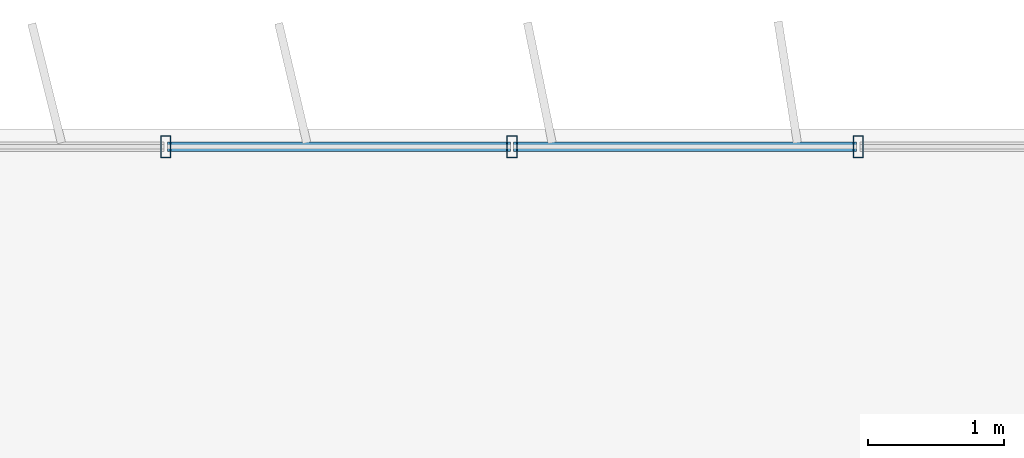
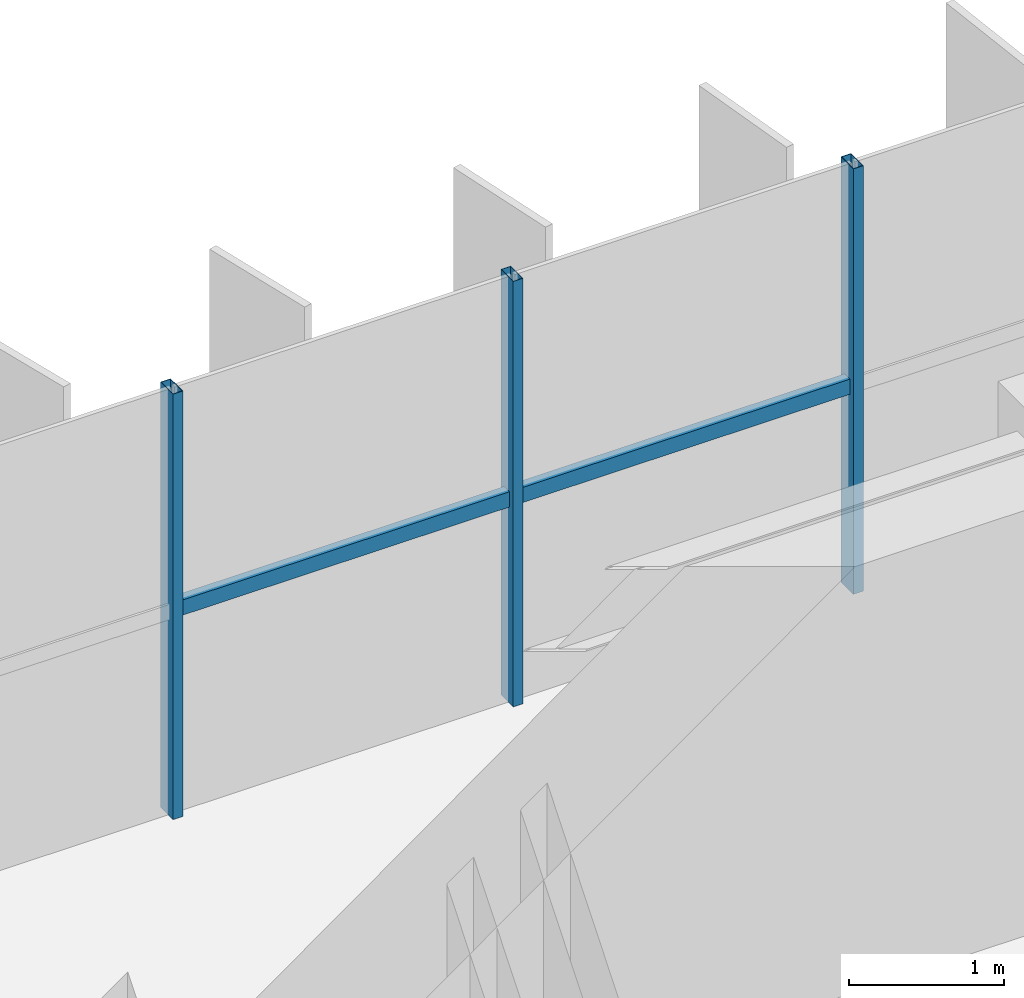
# One storey, part 8 of 23: 5 members, 1 element without a shape of its own.
"""IFC4 building model written with IfcOpenShell, lengths in metres."""

from ifc_helpers import new_model, si_unit, direction, frame, origin, origin_2d, place, context, subcontext, project, spatial, hollow_rectangle, extrude, source, transform, mapped, material, material_profile, profile_set, type_object, element, aggregate, save


model = new_model("IFC4")

# Units and contexts
model_context = context("Model", 3, precision=1e-05, world=origin(), true_north=direction((0.0, 1.0)))
body_context = subcontext(model_context, "Body", "Model", "MODEL_VIEW")
ifc_project = project(units=[si_unit("LENGTHUNIT", "METRE"), si_unit("AREAUNIT", "SQUARE_METRE"), si_unit("VOLUMEUNIT", "CUBIC_METRE"), si_unit("PLANEANGLEUNIT", "RADIAN"), si_unit("MASSUNIT", "GRAM", prefix="KILO")], contexts=[model_context])

# Site, building, storey
site_placement = place(None, origin())
site = spatial("IfcSite", under=ifc_project, at=site_placement, CompositionType="ELEMENT")
building_placement = place(site_placement, origin())
building = spatial("IfcBuilding", under=site, at=building_placement, Name="Trelvane Seafront Commons", CompositionType="ELEMENT")
storey_placement = place(building_placement, frame((0.0, 0.0, 190.5)))
storey = spatial("IfcBuildingStorey", under=building, at=storey_placement, Name="L49", CompositionType="ELEMENT", Elevation=190.5)

# Curtain wall, members
ifc_material = material(Name="Anodised pale-silver aluminium", Category="aluminium")
curtain_wall_type = type_object("IfcCurtainWallType", Name="ARCH-CW5-UPTOWER", PredefinedType="NOTDEFINED", material=ifc_material)
curtain_wall_placement = place(storey_placement, origin())
curtain_wall = element("IfcCurtainWall", 1, at=curtain_wall_placement, inside=storey, type_object=curtain_wall_type, Name="CW-L49-0077", PredefinedType="NOTDEFINED")
ifc_material_profile_1 = material_profile(ifc_material, hollow_rectangle(XDim=0.070068359375, YDim=0.1201171875, WallThickness=0.00390625, at=origin_2d()), Name="TRAN-70x120x4")
ifc_profile_set_1 = profile_set([ifc_material_profile_1], Name="Anodised pale-silver aluminium")
member_type_1 = type_object("IfcMemberType", Name="ARCH-CW-TRAN-120", PredefinedType="USERDEFINED", material=ifc_profile_set_1)
shared_shape_1 = source(origin(), body_context, "Body", "SweptSolid", [
    extrude(hollow_rectangle(XDim=0.070068359375, YDim=0.1201171875, WallThickness=0.00390625, at=origin_2d()), origin(), (0.0, 0.0, 1.0), 2.517333984375),
])
member_1_placement = place(storey_placement, frame((25.776611328125, 48.3701171875, 1.613037109375), z_axis=(1.0, 0.0, 0.0), x_axis=(0.0, 1.0, 0.0)))
member_1 = element("IfcMember", 2, at=member_1_placement, type_object=member_type_1, Name="CW-L49-0077-T04", ObjectType="TRANSOM", PredefinedType="USERDEFINED", context=body_context, shape_type="MappedRepresentation", body=[
    mapped(shared_shape_1, transform((0.0, 0.0, 0.0), x_axis=(1.0, 0.0, 0.0), y_axis=(0.0, 1.0, 0.0), z_axis=(0.0, 0.0, 1.0), scale=1.0)),
])
member_2_placement = place(storey_placement, frame((28.31787109375, 48.3701171875, 1.613037109375), z_axis=(1.0, 0.0, 0.0), x_axis=(0.0, 1.0, 0.0)))
member_2 = element("IfcMember", 3, at=member_2_placement, type_object=member_type_1, Name="CW-L49-0077-T05", ObjectType="TRANSOM", PredefinedType="USERDEFINED", context=body_context, shape_type="MappedRepresentation", body=[
    mapped(shared_shape_1, transform((0.0, 0.0, 0.0), x_axis=(1.0, 0.0, 0.0), y_axis=(0.0, 1.0, 0.0), z_axis=(0.0, 0.0, 1.0), scale=1.0)),
])
ifc_material_profile_2 = material_profile(ifc_material, hollow_rectangle(XDim=0.074951171875, YDim=0.159912109375, WallThickness=0.00390625, at=origin_2d()), Name="MULL-75x160x4")
ifc_profile_set_2 = profile_set([ifc_material_profile_2], Name="Anodised pale-silver aluminium")
member_type_2 = type_object("IfcMemberType", Name="ARCH-CW-MULL-160", PredefinedType="MULLION", material=ifc_profile_set_2)
shared_shape_2 = source(origin(), body_context, "Body", "SweptSolid", [
    extrude(hollow_rectangle(XDim=0.074951171875, YDim=0.159912109375, WallThickness=0.00390625, at=origin_2d()), origin(), (0.0, 0.0, 1.0), 3.360107421875),
])
member_3_placement = place(storey_placement, frame((25.7646484375, 48.3701171875, 0.0), z_axis=(0.0, 0.0, 1.0), x_axis=(1.0, 0.0, 0.0)))
member_3 = element("IfcMember", 4, at=member_3_placement, type_object=member_type_2, Name="CW-L49-0077-M04", PredefinedType="MULLION", context=body_context, shape_type="MappedRepresentation", body=[
    mapped(shared_shape_2, transform((0.0, 0.0, 0.0), x_axis=(1.0, 0.0, 0.0), y_axis=(0.0, 1.0, 0.0), z_axis=(0.0, 0.0, 1.0), scale=1.0)),
])
member_4_placement = place(storey_placement, frame((28.305908203125, 48.3701171875, 0.0), z_axis=(0.0, 0.0, 1.0), x_axis=(1.0, 0.0, 0.0)))
member_4 = element("IfcMember", 5, at=member_4_placement, type_object=member_type_2, Name="CW-L49-0077-M05", PredefinedType="MULLION", context=body_context, shape_type="MappedRepresentation", body=[
    mapped(shared_shape_2, transform((0.0, 0.0, 0.0), x_axis=(1.0, 0.0, 0.0), y_axis=(0.0, 1.0, 0.0), z_axis=(0.0, 0.0, 1.0), scale=1.0)),
])
member_5_placement = place(storey_placement, frame((30.84716796875, 48.3701171875, 0.0), z_axis=(0.0, 0.0, 1.0), x_axis=(1.0, 0.0, 0.0)))
member_5 = element("IfcMember", 6, at=member_5_placement, type_object=member_type_2, Name="CW-L49-0077-M06", PredefinedType="MULLION", context=body_context, shape_type="MappedRepresentation", body=[
    mapped(shared_shape_2, transform((0.0, 0.0, 0.0), x_axis=(1.0, 0.0, 0.0), y_axis=(0.0, 1.0, 0.0), z_axis=(0.0, 0.0, 1.0), scale=1.0)),
])
aggregate(curtain_wall, [member_3, member_4, member_5, member_1, member_2])

save(model, "model.ifc")
